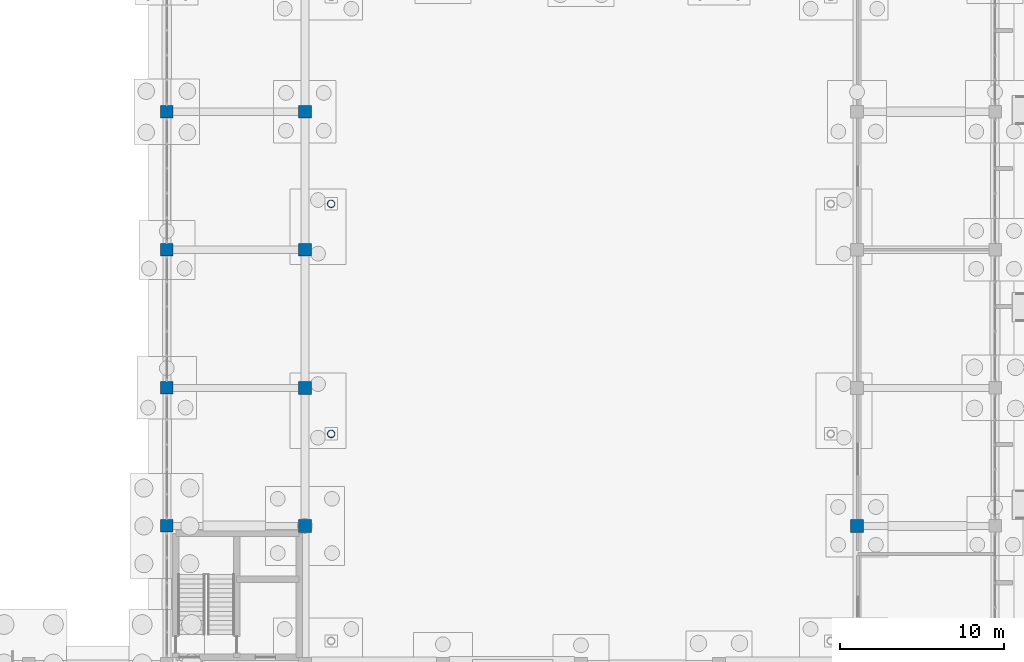
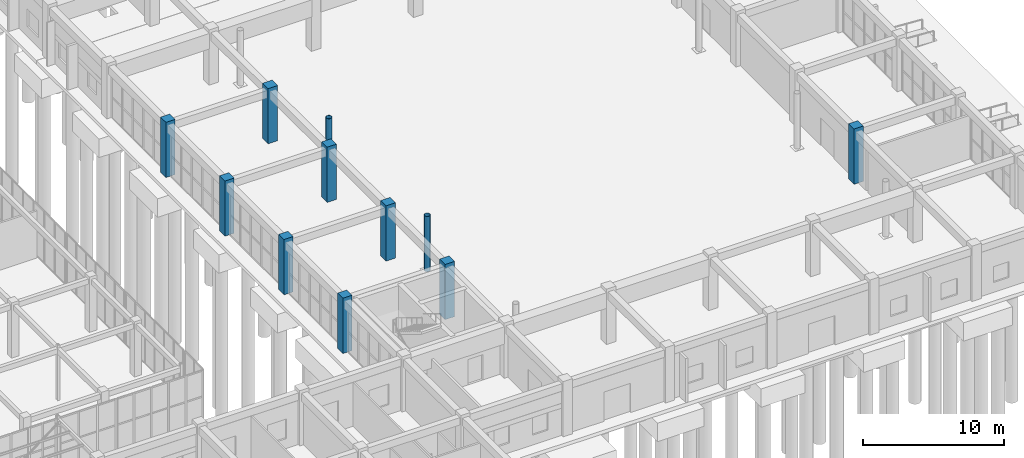
# One storey, part 42 of 192: 11 columns.
"""IFC4 building model written with IfcOpenShell, lengths in metres."""

from ifc_helpers import new_model, si_unit, direction, frame, origin, origin_2d, place, context, subcontext, project, spatial, rectangle, hollow_circle, extrude, material, material_profile, profile_set, type_object, element, save


model = new_model("IFC4")

# Units and contexts
model_context = context("Model", 3, precision=1e-05, world=origin(), true_north=direction((0.0, 1.0)))
body_context = subcontext(model_context, "Body", "Model", "MODEL_VIEW")
ifc_project = project(units=[si_unit("LENGTHUNIT", "METRE"), si_unit("AREAUNIT", "SQUARE_METRE"), si_unit("VOLUMEUNIT", "CUBIC_METRE"), si_unit("PLANEANGLEUNIT", "RADIAN"), si_unit("MASSUNIT", "GRAM", prefix="KILO")], contexts=[model_context])

# Site, building, storey
site_placement = place(None, origin())
site = spatial("IfcSite", under=ifc_project, at=site_placement, CompositionType="ELEMENT")
building_placement = place(site_placement, origin())
building = spatial("IfcBuilding", under=site, at=building_placement, Name="Trelvath General Hospital", CompositionType="ELEMENT")
storey_placement = place(building_placement, origin())
storey = spatial("IfcBuildingStorey", under=building, at=storey_placement, Name="L00", CompositionType="ELEMENT", Elevation=0.0)

# Columns
ifc_material_1 = material(Name="Concrete C40/50", Category="concrete")
ifc_material_profile_1 = material_profile(ifc_material_1, rectangle(XDim=0.760009765625, YDim=0.760009765625, at=origin_2d()), Name="RC760x760")
ifc_profile_set_1 = profile_set([ifc_material_profile_1], Name="Concrete C40/50")
column_type_1 = type_object("IfcColumnType", Name="Column RC760", PredefinedType="COLUMN", material=ifc_profile_set_1)
for number, where, z_axis, x_axis, name in (
    (1, (134.39990234375, 33.60009765625, 0.0), (0.0, 0.0, 1.0), (1.0, 0.0, 0.0), "Column C-17E L00"),
    (2, (134.39990234375, 42.0, 0.0), (0.0, 0.0, 1.0), (1.0, 0.0, 0.0), "Column C-17F L00"),
    (3, (134.39990234375, 50.39990234375, 0.0), (0.0, 0.0, 1.0), (1.0, 0.0, 0.0), "Column C-17G L00"),
    (4, (134.39990234375, 58.800048828125, 0.0), (0.0, 0.0, 1.0), (1.0, 0.0, 0.0), "Column C-17H L00"),
):
    element("IfcColumn", number, at=place(storey_placement, frame(where, z_axis=z_axis, x_axis=x_axis)), inside=storey, type_object=column_type_1, Name=name, PredefinedType="COLUMN", context=body_context, shape_type="SweptSolid", body=[
        extrude(rectangle(XDim=0.760009765625, YDim=0.760009765625, at=origin_2d()), origin(), (0.0, 0.0, 1.0), 4.800048828125),
    ])
ifc_material_2 = material(Name="Concrete C40/50", Category="concrete")
ifc_material_profile_2 = material_profile(ifc_material_2, rectangle(XDim=0.780029296875, YDim=0.780029296875, at=origin_2d()), Name="RC780x780")
ifc_profile_set_2 = profile_set([ifc_material_profile_2], Name="Concrete C40/50")
column_type_2 = type_object("IfcColumnType", Name="Column RC780", PredefinedType="COLUMN", material=ifc_profile_set_2)
for number, where, z_axis, x_axis, name in (
    (5, (142.800048828125, 33.60009765625, 0.0), (0.0, 0.0, 1.0), (1.0, 0.0, 0.0), "Column C-18E L00"),
    (6, (142.800048828125, 42.0, 0.0), (0.0, 0.0, 1.0), (1.0, 0.0, 0.0), "Column C-18F L00"),
    (7, (142.800048828125, 50.39990234375, 0.0), (0.0, 0.0, 1.0), (1.0, 0.0, 0.0), "Column C-18G L00"),
    (8, (142.800048828125, 58.800048828125, 0.0), (0.0, 0.0, 1.0), (1.0, 0.0, 0.0), "Column C-18H L00"),
    (9, (176.39990234375, 33.60009765625, 0.0), (0.0, 0.0, 1.0), (1.0, 0.0, 0.0), "Column C-22E L00"),
):
    element("IfcColumn", number, at=place(storey_placement, frame(where, z_axis=z_axis, x_axis=x_axis)), inside=storey, type_object=column_type_2, Name=name, PredefinedType="COLUMN", context=body_context, shape_type="SweptSolid", body=[
        extrude(rectangle(XDim=0.780029296875, YDim=0.780029296875, at=origin_2d()), origin(), (0.0, 0.0, 1.0), 4.800048828125),
    ])
ifc_material_3 = material(Name="Steel S355", Category="steel")
ifc_material_profile_3 = material_profile(ifc_material_3, hollow_circle(Radius=0.228515625, WallThickness=0.01611328125, at=origin_2d()), Name="CHS457.0x16.0")
ifc_profile_set_3 = profile_set([ifc_material_profile_3], Name="Steel S355")
column_type_3 = type_object("IfcColumnType", Name="TreeColumn CHS457", PredefinedType="COLUMN", material=ifc_profile_set_3)
for number, where, z_axis, x_axis, name in (
    (10, (144.39990234375, 39.199951171875, 0.0), (0.0, 0.0, 1.0), (1.0, 0.0, 0.0), "Space Frame Tree Column TC-02 L00"),
    (11, (144.39990234375, 53.199951171875, 0.0), (0.0, 0.0, 1.0), (1.0, 0.0, 0.0), "Space Frame Tree Column TC-03 L00"),
):
    element("IfcColumn", number, at=place(storey_placement, frame(where, z_axis=z_axis, x_axis=x_axis)), inside=storey, type_object=column_type_3, Name=name, PredefinedType="COLUMN", context=body_context, shape_type="SweptSolid", body=[
        extrude(hollow_circle(Radius=0.228515625, WallThickness=0.01611328125, at=origin_2d()), origin(), (0.0, 0.0, 1.0), 4.800048828125),
    ])

save(model, "model.ifc")
